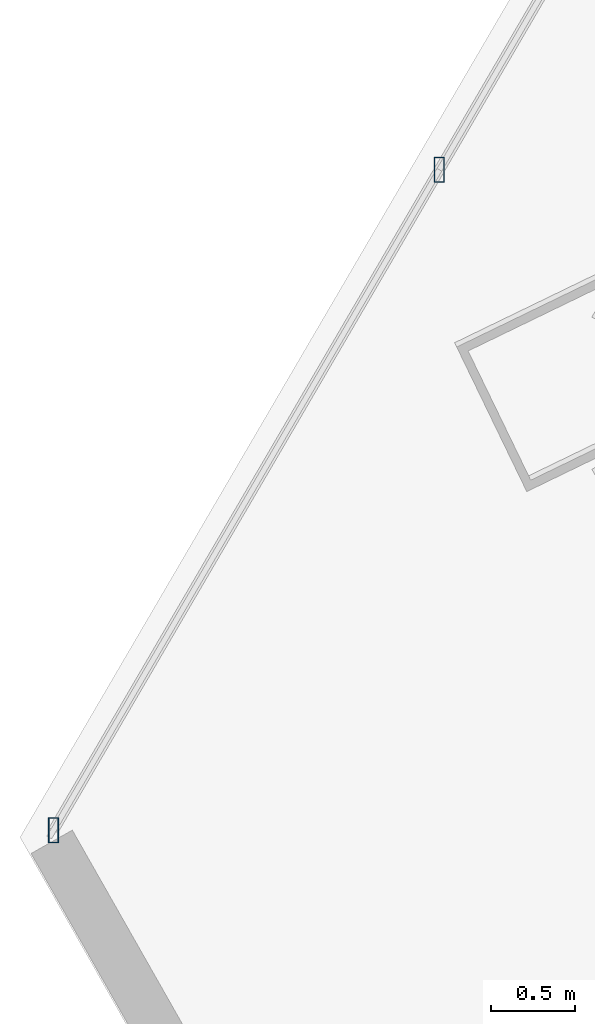
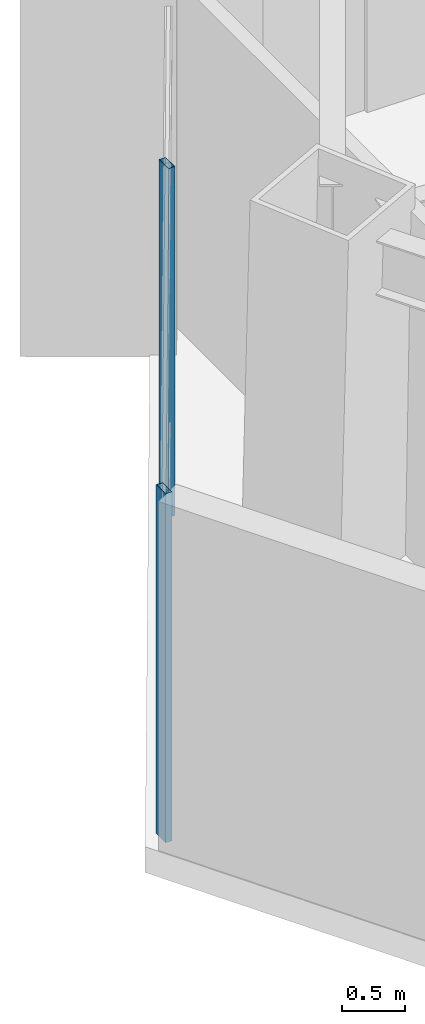
# One storey, part 6 of 42: 2 members, 1 element without a shape of its own.
"""IFC4 building model written with IfcOpenShell, lengths in metres."""

from ifc_helpers import new_model, si_unit, direction, frame, origin, origin_2d, place, context, subcontext, project, spatial, hollow_rectangle, extrude, source, transform, mapped, material, material_profile, profile_set, type_object, type_shapes, element, aggregate, save


model = new_model("IFC4")

# Units and contexts
model_context = context("Model", 3, precision=1e-05, world=origin(), true_north=direction((0.0, 1.0)))
body_context = subcontext(model_context, "Body", "Model", "MODEL_VIEW")
ifc_project = project(units=[si_unit("LENGTHUNIT", "METRE"), si_unit("AREAUNIT", "SQUARE_METRE"), si_unit("VOLUMEUNIT", "CUBIC_METRE"), si_unit("PLANEANGLEUNIT", "RADIAN"), si_unit("MASSUNIT", "GRAM", prefix="KILO")], contexts=[model_context])

# Site, building, storey
site_placement = place(None, origin())
site = spatial("IfcSite", under=ifc_project, at=site_placement, CompositionType="ELEMENT")
building_placement = place(site_placement, origin())
building = spatial("IfcBuilding", under=site, at=building_placement, Name="Caelisora Broadcast Tower", CompositionType="ELEMENT")
storey_placement = place(building_placement, frame((0.0, 0.0, 131.800048828125)))
storey = spatial("IfcBuildingStorey", under=building, at=storey_placement, Name="L34", CompositionType="ELEMENT", Elevation=131.800048828125)

# Curtain wall, members
ifc_material_1 = material(Name="Unitised Aluminium and Low-E Glass Curtain Wall", Category="glass")
curtain_wall_type = type_object("IfcCurtainWallType", Name="CW-Z3", PredefinedType="NOTDEFINED", material=ifc_material_1)
curtain_wall_placement = place(storey_placement, origin())
curtain_wall = element("IfcCurtainWall", 1, at=curtain_wall_placement, inside=storey, type_object=curtain_wall_type, Name="L34 curtain wall CW-Z3", PredefinedType="NOTDEFINED")
ifc_material_2 = material(Name="Aluminium 6063-T6 Anodised Terracotta Bronze", Category="aluminium")
ifc_material_profile = material_profile(ifc_material_2, hollow_rectangle(XDim=0.06005859375, YDim=0.14990234375, WallThickness=0.00341796875, at=origin_2d()), Name="Aluminium 6063-T6 Anodised Terracotta Bronze")
ifc_profile_set = profile_set([ifc_material_profile], Name="Aluminium 6063-T6 Anodised Terracotta Bronze")
member_type = type_object("IfcMemberType", Name="CWM-03", PredefinedType="MULLION", material=ifc_profile_set)
shared_shape = source(origin(), body_context, "Body", "SweptSolid", [
    extrude(hollow_rectangle(XDim=0.06005859375, YDim=0.14990234375, WallThickness=0.00341796875, at=origin_2d()), origin(), (0.0, 0.0, 1.0), 3.39990234375),
])
type_shapes(member_type, [shared_shape])
member_1_placement = place(storey_placement, frame((12.13330078125, 16.01611328125, 0.0), z_axis=(0.0, 0.0, 1.0), x_axis=(1.0, 0.0, 0.0)))
member_1 = element("IfcMember", 2, at=member_1_placement, type_object=member_type, Name="L34-CW-B09 mullion #0", PredefinedType="MULLION", context=body_context, shape_type="MappedRepresentation", body=[
    mapped(shared_shape, transform((0.0, 0.0, 0.0), scale=1.0)),
])
member_2_placement = place(storey_placement, frame((14.4169921875, 19.924072265625, 0.0), z_axis=(0.0, 0.0, 1.0), x_axis=(1.0, 0.0, 0.0)))
member_2 = element("IfcMember", 3, at=member_2_placement, type_object=member_type, Name="L34-CW-B09 mullion #1", PredefinedType="MULLION", context=body_context, shape_type="MappedRepresentation", body=[
    mapped(shared_shape, transform((0.0, 0.0, 0.0), scale=1.0)),
])
aggregate(curtain_wall, [member_1, member_2])

save(model, "model.ifc")
